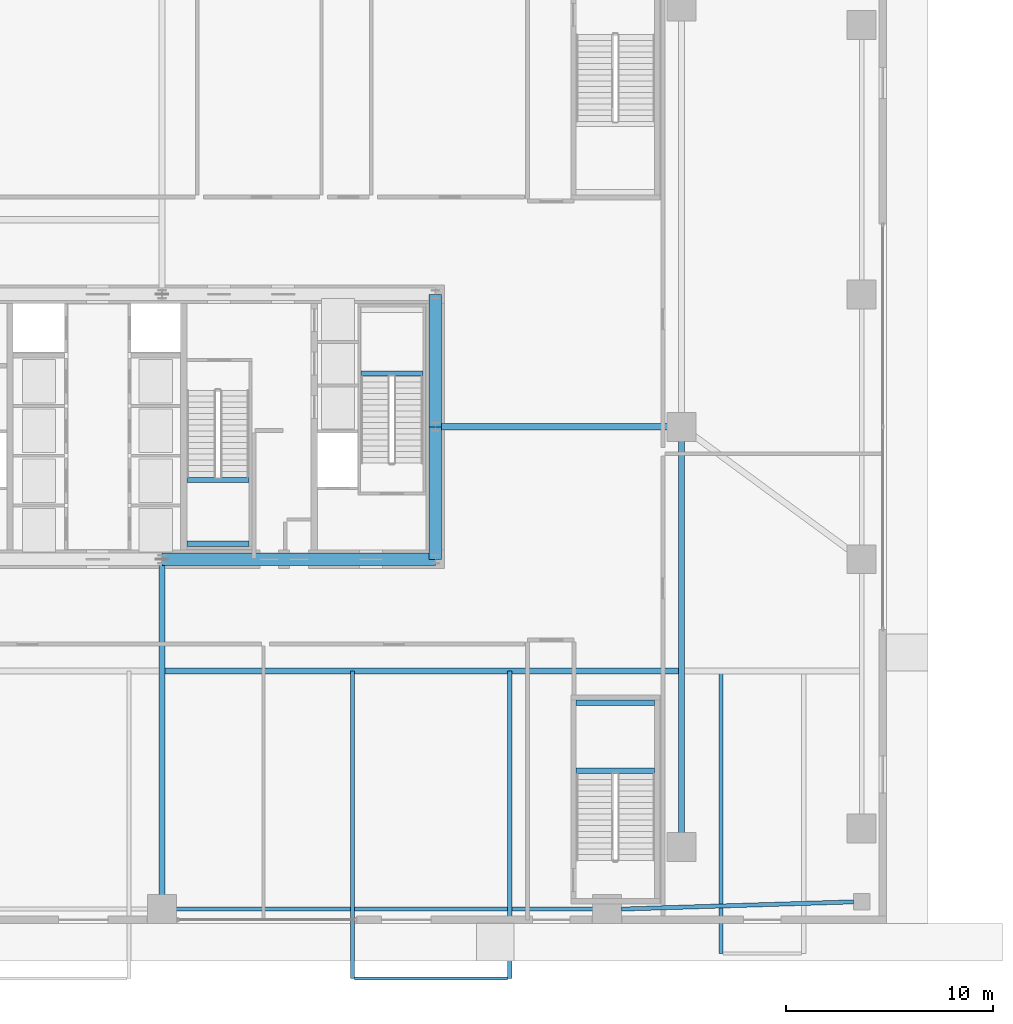
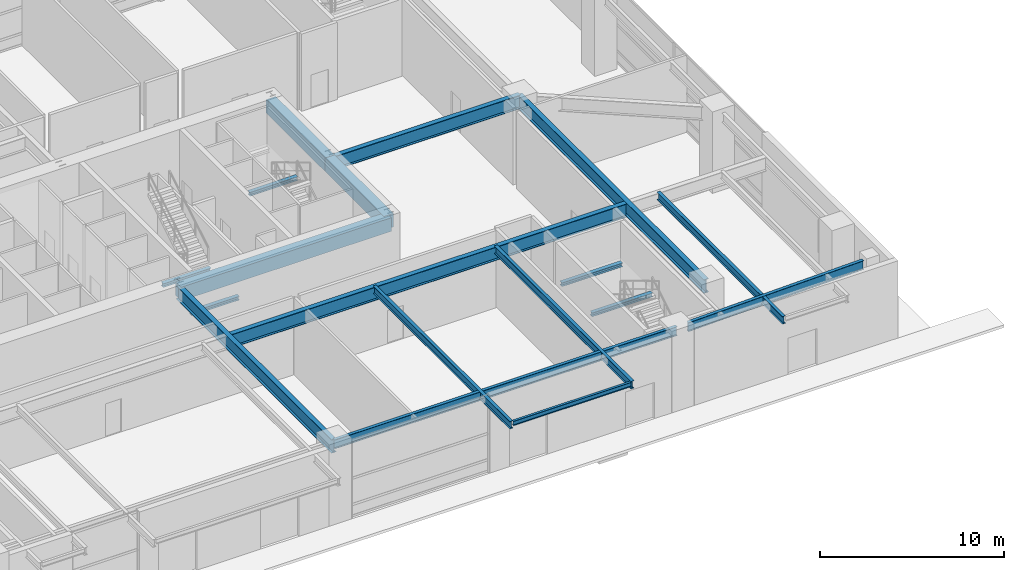
# One storey, part 11 of 32: 18 beams.
"""IFC4 building model written with IfcOpenShell, lengths in metres."""

from ifc_helpers import new_model, si_unit, direction, frame, origin, origin_2d, place, context, subcontext, project, spatial, rectangle, i_section, extrude, source, transform, mapped, material, material_profile, profile_set, type_object, element, save


model = new_model("IFC4")

# Units and contexts
model_context = context("Model", 3, precision=1e-05, world=origin(), true_north=direction((0.0, 1.0)))
body_context = subcontext(model_context, "Body", "Model", "MODEL_VIEW")
ifc_project = project(units=[si_unit("LENGTHUNIT", "METRE"), si_unit("AREAUNIT", "SQUARE_METRE"), si_unit("VOLUMEUNIT", "CUBIC_METRE"), si_unit("PLANEANGLEUNIT", "RADIAN"), si_unit("MASSUNIT", "GRAM", prefix="KILO"), si_unit("THERMODYNAMICTEMPERATUREUNIT", "KELVIN"), si_unit("POWERUNIT", "WATT")], contexts=[model_context])

# Site, building, storey
site_placement = place(None, origin())
site = spatial("IfcSite", under=ifc_project, at=site_placement, CompositionType="ELEMENT")
building_placement = place(site_placement, origin())
building = spatial("IfcBuilding", under=site, at=building_placement, Name="Yuzanri Waterfront Tower", CompositionType="ELEMENT")
storey_placement = place(building_placement, origin())
storey = spatial("IfcBuildingStorey", under=building, at=storey_placement, Name="L01", CompositionType="ELEMENT", Elevation=0.0)

# Beams
ifc_material_1 = material(Name="Concrete C60", Category="concrete")
ifc_material_profile_1 = material_profile(ifc_material_1, rectangle(XDim=0.60009765625, YDim=0.89990234375, at=origin_2d()), Name="RC 600x900")
ifc_profile_set_1 = profile_set([ifc_material_profile_1], Name="Concrete C60")
beam_type_1 = type_object("IfcBeamType", Name="Core Coupling Lintel Concrete C60 600x900", PredefinedType="LINTEL", material=ifc_profile_set_1)
shared_shape_1 = source(origin(), body_context, "Body", "SweptSolid", [
    extrude(rectangle(XDim=0.60009765625, YDim=0.89990234375, at=origin_2d()), origin(), (0.0, 0.0, 1.0), 13.199951171875),
])
beam_1_placement = place(storey_placement, frame((37.0, 19.39990234375, 4.669921875), z_axis=(1.0, 0.0, 0.0), x_axis=(0.0, 1.0, 0.0)))
element("IfcBeam", 1, at=beam_1_placement, inside=storey, type_object=beam_type_1, Name="L01 Core Tie Beam CS2", PredefinedType="LINTEL", context=body_context, shape_type="MappedRepresentation", body=[
    mapped(shared_shape_1, transform((0.0, 0.0, 0.0), scale=1.0)),
])
shared_shape_2 = source(origin(), body_context, "Body", "SweptSolid", [
    extrude(rectangle(XDim=0.60009765625, YDim=0.89990234375, at=origin_2d()), origin(), (0.0, 0.0, 1.0), 6.400146484375),
])
beam_2_placement = place(storey_placement, frame((50.199951171875, 19.39990234375, 4.669921875), z_axis=(0.0, 1.0, 0.0), x_axis=(-1.0, 0.0, 0.0)))
element("IfcBeam", 2, at=beam_2_placement, inside=storey, type_object=beam_type_1, Name="L01 Core Tie Beam CE1", PredefinedType="LINTEL", context=body_context, shape_type="MappedRepresentation", body=[
    mapped(shared_shape_2, transform((0.0, 0.0, 0.0), scale=1.0)),
])
shared_shape_3 = source(origin(), body_context, "Body", "SweptSolid", [
    extrude(rectangle(XDim=0.60009765625, YDim=0.89990234375, at=origin_2d()), origin(), (0.0, 0.0, 1.0), 6.39990234375),
])
beam_3_placement = place(storey_placement, frame((50.199951171875, 25.800048828125, 4.669921875), z_axis=(0.0, 1.0, 0.0), x_axis=(-1.0, 0.0, 0.0)))
element("IfcBeam", 3, at=beam_3_placement, inside=storey, type_object=beam_type_1, Name="L01 Core Tie Beam CE2", PredefinedType="LINTEL", context=body_context, shape_type="MappedRepresentation", body=[
    mapped(shared_shape_3, transform((0.0, 0.0, 0.0), scale=1.0)),
])
ifc_material_2 = material(Name="Steel Q355B", Category="steel")
ifc_material_profile_2 = material_profile(ifc_material_2, i_section(OverallWidth=0.300048828125, OverallDepth=0.89990234375, WebThickness=0.01611328125, FlangeThickness=0.028076171875, at=origin_2d()), Name="HN 900x300x16x28")
ifc_profile_set_2 = profile_set([ifc_material_profile_2], Name="Steel Q355B")
beam_type_2 = type_object("IfcBeamType", Name="Primary Podium Girder Q355B HN 900x300", PredefinedType="BEAM", material=ifc_profile_set_2)
shared_shape_4 = source(origin(), body_context, "Body", "SweptSolid", [
    extrude(i_section(OverallWidth=0.300048828125, OverallDepth=0.89990234375, WebThickness=0.01611328125, FlangeThickness=0.028076171875, at=origin_2d()), origin(), (0.0, 0.0, 1.0), 11.900146484375),
])
beam_4_placement = place(storey_placement, frame((50.199951171875, 25.800048828125, 4.669921875), z_axis=(1.0, 0.0, 0.0), x_axis=(0.0, 1.0, 0.0)))
element("IfcBeam", 4, at=beam_4_placement, inside=storey, type_object=beam_type_2, Name="L01 Podium East Girder 1", PredefinedType="BEAM", context=body_context, shape_type="MappedRepresentation", body=[
    mapped(shared_shape_4, transform((0.0, 0.0, 0.0), scale=1.0)),
])
shared_shape_5 = source(origin(), body_context, "Body", "SweptSolid", [
    extrude(i_section(OverallWidth=0.300048828125, OverallDepth=0.89990234375, WebThickness=0.01611328125, FlangeThickness=0.028076171875, at=origin_2d()), origin(), (0.0, 0.0, 1.0), 20.300048828125),
])
beam_5_placement = place(storey_placement, frame((62.10009765625, 5.5, 4.669921875), z_axis=(0.0, 1.0, 0.0), x_axis=(-1.0, 0.0, 0.0)))
element("IfcBeam", 5, at=beam_5_placement, inside=storey, type_object=beam_type_2, Name="L01 Podium East Spine S", PredefinedType="BEAM", context=body_context, shape_type="MappedRepresentation", body=[
    mapped(shared_shape_5, transform((0.0, 0.0, 0.0), scale=1.0)),
])
shared_shape_6 = source(origin(), body_context, "Body", "SweptSolid", [
    extrude(i_section(OverallWidth=0.300048828125, OverallDepth=0.89990234375, WebThickness=0.01611328125, FlangeThickness=0.028076171875, at=origin_2d()), origin(), (0.0, 0.0, 1.0), 16.89990234375),
])
beam_6_placement = place(storey_placement, frame((37.0, 2.5, 4.669921875), z_axis=(0.0, 1.0, 0.0), x_axis=(-1.0, 0.0, 0.0)))
element("IfcBeam", 6, at=beam_6_placement, inside=storey, type_object=beam_type_2, Name="L01 South Core Link Girder", PredefinedType="BEAM", context=body_context, shape_type="MappedRepresentation", body=[
    mapped(shared_shape_6, transform((0.0, 0.0, 0.0), scale=1.0)),
])
ifc_material_3 = material(Name="Steel Q355B", Category="steel")
ifc_material_profile_3 = material_profile(ifc_material_3, i_section(OverallWidth=0.199951171875, OverallDepth=0.60009765625, WebThickness=0.010986328125, FlangeThickness=0.01708984375, at=origin_2d()), Name="HN 600x200x11x17")
ifc_profile_set_3 = profile_set([ifc_material_profile_3], Name="Steel Q355B")
beam_type_3 = type_object("IfcBeamType", Name="Perimeter Spandrel Q355B HN 600x200", PredefinedType="SPANDREL", material=ifc_profile_set_3)
shared_shape_7 = source(origin(), body_context, "Body", "SweptSolid", [
    extrude(i_section(OverallWidth=0.199951171875, OverallDepth=0.60009765625, WebThickness=0.010986328125, FlangeThickness=0.01708984375, at=origin_2d()), origin(), (0.0, 0.0, 1.0), 21.5),
])
beam_7_placement = place(storey_placement, frame((37.0, 2.5, 4.820068359375), z_axis=(1.0, 0.0, 0.0), x_axis=(0.0, 1.0, 0.0)))
element("IfcBeam", 7, at=beam_7_placement, inside=storey, type_object=beam_type_3, Name="L01 South Spandrel 2", PredefinedType="SPANDREL", context=body_context, shape_type="MappedRepresentation", body=[
    mapped(shared_shape_7, transform((0.0, 0.0, 0.0), scale=1.0)),
])
shared_shape_8 = source(origin(), body_context, "Body", "SweptSolid", [
    extrude(i_section(OverallWidth=0.199951171875, OverallDepth=0.60009765625, WebThickness=0.010986328125, FlangeThickness=0.01708984375, at=origin_2d()), origin(), (0.0, 0.0, 1.0), 11.205322265625),
])
beam_8_placement = place(storey_placement, frame((59.199951171875, 2.5, 4.820068359375), z_axis=(0.999511799716, 0.031243595004, 0.0), x_axis=(-0.031243595004, 0.999511799716, 0.0)))
element("IfcBeam", 8, at=beam_8_placement, inside=storey, type_object=beam_type_3, Name="L01 South-East Corner Spandrel", PredefinedType="SPANDREL", context=body_context, shape_type="MappedRepresentation", body=[
    mapped(shared_shape_8, transform((0.0, 0.0, 0.0), scale=1.0)),
])
shared_shape_9 = source(origin(), body_context, "Body", "SweptSolid", [
    extrude(i_section(OverallWidth=0.300048828125, OverallDepth=0.89990234375, WebThickness=0.01611328125, FlangeThickness=0.028076171875, at=origin_2d()), origin(), (0.0, 0.0, 1.0), 24.800048828125),
])
beam_9_placement = place(storey_placement, frame((37.14990234375, 14.0, 4.669921875), z_axis=(1.0, 0.0, 0.0), x_axis=(0.0, 1.0, 0.0)))
element("IfcBeam", 9, at=beam_9_placement, inside=storey, type_object=beam_type_2, Name="L01 Canopy Interior Tie Girder SE", PredefinedType="BEAM", context=body_context, shape_type="MappedRepresentation", body=[
    mapped(shared_shape_9, transform((0.0, 0.0, 0.0), scale=1.0)),
])
ifc_material_4 = material(Name="Steel Q355B", Category="steel")
ifc_material_profile_4 = material_profile(ifc_material_4, i_section(OverallWidth=0.199951171875, OverallDepth=0.5, WebThickness=0.010009765625, FlangeThickness=0.01611328125, at=origin_2d()), Name="HN 500x200x10x16")
ifc_profile_set_4 = profile_set([ifc_material_profile_4], Name="Steel Q355B")
beam_type_4 = type_object("IfcBeamType", Name="Secondary Floor Beam Q355B HN 500x200", PredefinedType="BEAM", material=ifc_profile_set_4)
shared_shape_10 = source(origin(), body_context, "Body", "SweptSolid", [
    extrude(i_section(OverallWidth=0.199951171875, OverallDepth=0.5, WebThickness=0.010009765625, FlangeThickness=0.01611328125, at=origin_2d()), origin(), (0.0, 0.0, 1.0), 14.85009765625),
])
for number, where, z_axis, x_axis, name in (
    (10, (46.199951171875, 14.0, 4.8701171875), (0.0, -1.0, 0.0), (1.0, 0.0, 0.0), "L01 Canopy S2 Left Outlooker"),
    (11, (53.800048828125, 14.0, 4.8701171875), (0.0, -1.0, 0.0), (1.0, 0.0, 0.0), "L01 Canopy S2 Right Outlooker"),
):
    element("IfcBeam", number, at=place(storey_placement, frame(where, z_axis=z_axis, x_axis=x_axis)), inside=storey, type_object=beam_type_4, Name=name, PredefinedType="BEAM", context=body_context, shape_type="MappedRepresentation", body=[
        mapped(shared_shape_10, transform((0.0, 0.0, 0.0), scale=1.0)),
    ])
ifc_material_5 = material(Name="Steel Q355B", Category="steel")
ifc_material_profile_5 = material_profile(ifc_material_5, i_section(OverallWidth=0.14990234375, OverallDepth=0.300048828125, WebThickness=0.006591796875, FlangeThickness=0.009033203125, at=origin_2d()), Name="HN 300x150x6.5x9")
ifc_profile_set_5 = profile_set([ifc_material_profile_5], Name="Steel Q355B")
beam_type_5 = type_object("IfcBeamType", Name="Balcony Outlooker Joist Q355B HN 300x150", PredefinedType="JOIST", material=ifc_profile_set_5)
shared_shape_11 = source(origin(), body_context, "Body", "SweptSolid", [
    extrude(i_section(OverallWidth=0.14990234375, OverallDepth=0.300048828125, WebThickness=0.006591796875, FlangeThickness=0.009033203125, at=origin_2d()), origin(), (0.0, 0.0, 1.0), 7.39990234375),
])
beam_10_placement = place(storey_placement, frame((46.300048828125, -0.85009765625, 4.969970703125), z_axis=(1.0, 0.0, 0.0), x_axis=(0.0, 1.0, 0.0)))
element("IfcBeam", 12, at=beam_10_placement, inside=storey, type_object=beam_type_5, Name="L01 Canopy S2 Outer Edge Beam", PredefinedType="JOIST", context=body_context, shape_type="MappedRepresentation", body=[
    mapped(shared_shape_11, transform((0.0, 0.0, 0.0), scale=1.0)),
])
shared_shape_12 = source(origin(), body_context, "Body", "SweptSolid", [
    extrude(i_section(OverallWidth=0.199951171875, OverallDepth=0.5, WebThickness=0.010009765625, FlangeThickness=0.01611328125, at=origin_2d()), origin(), (0.0, 0.0, 1.0), 13.64990234375),
])
beam_11_placement = place(storey_placement, frame((64.0, 14.0, 4.8701171875), z_axis=(0.0, -1.0, 0.0), x_axis=(1.0, 0.0, 0.0)))
element("IfcBeam", 13, at=beam_11_placement, inside=storey, type_object=beam_type_4, Name="L01 Canopy S4 Left Outlooker", PredefinedType="BEAM", context=body_context, shape_type="MappedRepresentation", body=[
    mapped(shared_shape_12, transform((0.0, 0.0, 0.0), scale=1.0)),
])
ifc_material_6 = material(Name="Steel Q355B", Category="steel")
ifc_material_profile_6 = material_profile(ifc_material_6, i_section(OverallWidth=0.25, OverallDepth=0.25, WebThickness=0.009033203125, FlangeThickness=0.013916015625, at=origin_2d()), Name="HW 250x250x9x14")
ifc_profile_set_6 = profile_set([ifc_material_profile_6], Name="Steel Q355B")
beam_type_6 = type_object("IfcBeamType", Name="Stair Landing Support Beam Q355B HW 250x250", PredefinedType="BEAM", material=ifc_profile_set_6)
shared_shape_13 = source(origin(), body_context, "Body", "SweptSolid", [
    extrude(i_section(OverallWidth=0.25, OverallDepth=0.25, WebThickness=0.009033203125, FlangeThickness=0.013916015625, at=origin_2d()), origin(), (0.0, 0.0, 1.0), 3.0),
])
for number, where, z_axis, x_axis, name in (
    (14, (46.60009765625, 28.3701171875, 2.375), (1.0, 0.0, 0.0), (0.0, 1.0, 0.0), "L01 Stair Landing Support Beam ST-02-L01-L1-1"),
    (15, (38.199951171875, 20.14990234375, 2.375), (1.0, 0.0, 0.0), (0.0, 1.0, 0.0), "L01 Stair Landing Support Beam ST-03-L01-L1-1"),
    (16, (38.199951171875, 23.22998046875, 2.375), (1.0, 0.0, 0.0), (0.0, 1.0, 0.0), "L01 Stair Landing Support Beam ST-03-L01-L1-2"),
):
    element("IfcBeam", number, at=place(storey_placement, frame(where, z_axis=z_axis, x_axis=x_axis)), inside=storey, type_object=beam_type_6, Name=name, PredefinedType="BEAM", context=body_context, shape_type="MappedRepresentation", body=[
        mapped(shared_shape_13, transform((0.0, 0.0, 0.0), scale=1.0)),
    ])
shared_shape_14 = source(origin(), body_context, "Body", "SweptSolid", [
    extrude(i_section(OverallWidth=0.25, OverallDepth=0.25, WebThickness=0.009033203125, FlangeThickness=0.013916015625, at=origin_2d()), origin(), (0.0, 0.0, 1.0), 3.800048828125),
])
for number, where, z_axis, x_axis, name in (
    (17, (57.0, 9.179931640625, 2.375), (1.0, 0.0, 0.0), (0.0, 1.0, 0.0), "L01 Stair Landing Support Beam PST-02-L01-L1-1"),
    (18, (57.0, 12.469970703125, 2.375), (1.0, 0.0, 0.0), (0.0, 1.0, 0.0), "L01 Stair Landing Support Beam PST-02-L01-L1-2"),
):
    element("IfcBeam", number, at=place(storey_placement, frame(where, z_axis=z_axis, x_axis=x_axis)), inside=storey, type_object=beam_type_6, Name=name, PredefinedType="BEAM", context=body_context, shape_type="MappedRepresentation", body=[
        mapped(shared_shape_14, transform((0.0, 0.0, 0.0), scale=1.0)),
    ])

save(model, "model.ifc")
